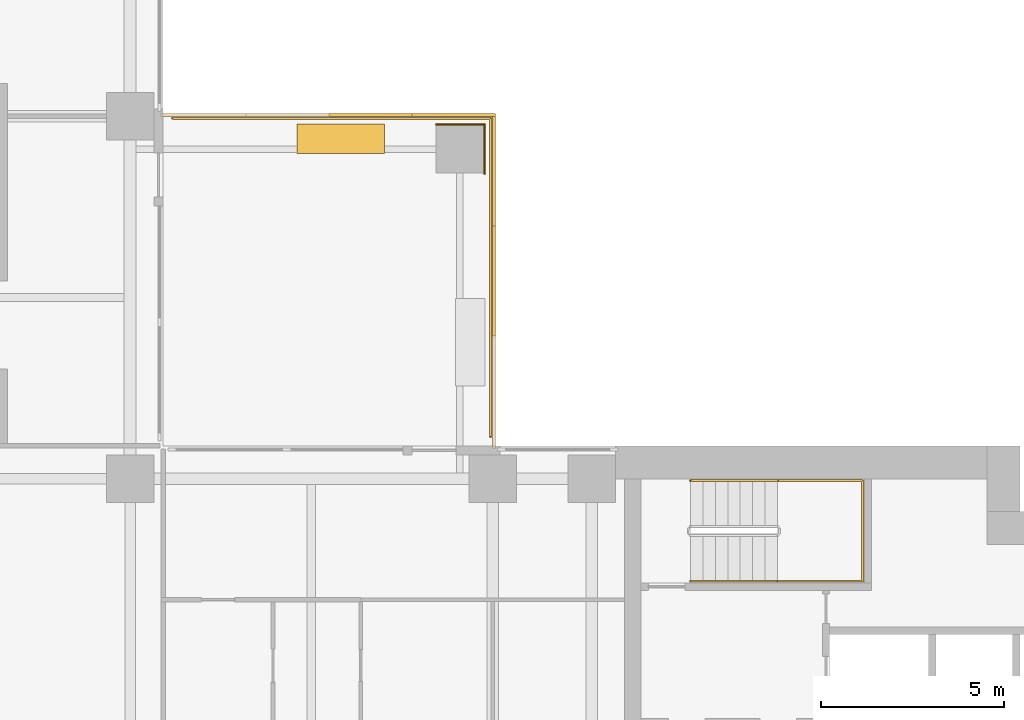
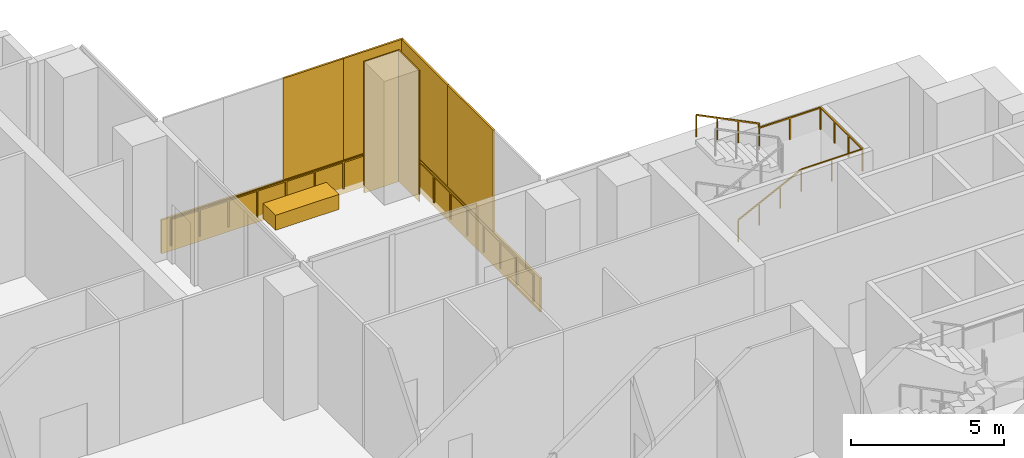
# One storey, part 16 of 17: 8 coverings, 2 railings.
"""IFC4 building model written with IfcOpenShell, lengths in metres."""

from ifc_helpers import new_model, si_unit, direction, frame, origin, origin_2d, place, context, subcontext, project, spatial, polyline, rectangle, outline, extrude, material, layer, layer_set, type_object, element, save


model = new_model("IFC4")

# Units and contexts
model_context = context("Model", 3, precision=1e-05, world=origin(), true_north=direction((0.0, 1.0)))
body_context = subcontext(model_context, "Body", "Model", "MODEL_VIEW")
ifc_project = project(units=[si_unit("LENGTHUNIT", "METRE"), si_unit("AREAUNIT", "SQUARE_METRE"), si_unit("VOLUMEUNIT", "CUBIC_METRE"), si_unit("PLANEANGLEUNIT", "RADIAN"), si_unit("MASSUNIT", "GRAM", prefix="KILO")], contexts=[model_context])

# Site, building, storey
site_placement = place(None, origin())
site = spatial("IfcSite", under=ifc_project, at=site_placement, CompositionType="ELEMENT")
building_placement = place(site_placement, origin())
building = spatial("IfcBuilding", under=site, at=building_placement, Name="Perihelion Cross Residences", CompositionType="ELEMENT")
storey_placement = place(building_placement, frame((0.0, 0.0, 92.5)))
storey = spatial("IfcBuildingStorey", under=building, at=storey_placement, Name="L21", CompositionType="ELEMENT", Elevation=92.5)

# Railing
ifc_material_1 = material(Name="Bronze anodised aluminium", Category="aluminium")
railing_type_1 = type_object("IfcRailingType", Name="Balcony guard 1100", PredefinedType="GUARDRAIL", material=ifc_material_1)
railing_1_placement = place(storey_placement, frame((9.25, 17.93994140625, 0.0)))
element("IfcRailing", 1, at=railing_1_placement, inside=storey, type_object=railing_type_1, Name="Guard GU1 L21 pocket north-east 1", PredefinedType="GUARDRAIL", context=body_context, shape_type="SweptSolid", body=[
    extrude(rectangle(XDim=0.048095703125, YDim=0.048095703125, at=origin_2d()), frame((0.0, 0.0, 1.076171875), z_axis=(1.0, 0.0, 0.0), x_axis=(0.0, 1.0, 0.0)), (0.0, 0.0, 1.0), 8.68994140625),
    extrude(rectangle(XDim=0.048095703125, YDim=0.048095703125, at=origin_2d()), frame((8.68994140625, 0.0, 1.076171875), z_axis=(0.0, -1.0, 0.0), x_axis=(1.0, 0.0, 0.0)), (0.0, 0.0, 1.0), 8.68994140625),
    extrude(rectangle(XDim=0.0419921875, YDim=0.0419921875, at=origin_2d()), origin(), (0.0, 0.0, 1.0), 1.052001953125),
    extrude(rectangle(XDim=0.0419921875, YDim=0.0419921875, at=origin_2d()), frame((1.086181640625, 0.0, 0.0)), (0.0, 0.0, 1.0), 1.052001953125),
    extrude(rectangle(XDim=0.0419921875, YDim=0.0419921875, at=origin_2d()), frame((2.17236328125, 0.0, 0.0)), (0.0, 0.0, 1.0), 1.052001953125),
    extrude(rectangle(XDim=0.0419921875, YDim=0.0419921875, at=origin_2d()), frame((3.2587890625, 0.0, 0.0)), (0.0, 0.0, 1.0), 1.052001953125),
    extrude(rectangle(XDim=0.0419921875, YDim=0.0419921875, at=origin_2d()), frame((4.344970703125, 0.0, 0.0)), (0.0, 0.0, 1.0), 1.052001953125),
    extrude(rectangle(XDim=0.0419921875, YDim=0.0419921875, at=origin_2d()), frame((5.43115234375, 0.0, 0.0)), (0.0, 0.0, 1.0), 1.052001953125),
    extrude(rectangle(XDim=0.0419921875, YDim=0.0419921875, at=origin_2d()), frame((6.517578125, 0.0, 0.0)), (0.0, 0.0, 1.0), 1.052001953125),
    extrude(rectangle(XDim=0.0419921875, YDim=0.0419921875, at=origin_2d()), frame((7.603759765625, 0.0, 0.0)), (0.0, 0.0, 1.0), 1.052001953125),
    extrude(rectangle(XDim=0.0419921875, YDim=0.0419921875, at=origin_2d()), frame((8.68994140625, 0.0, 0.0)), (0.0, 0.0, 1.0), 1.052001953125),
    extrude(rectangle(XDim=0.0419921875, YDim=0.0419921875, at=origin_2d()), frame((8.68994140625, -1.086181640625, 0.0)), (0.0, 0.0, 1.0), 1.052001953125),
    extrude(rectangle(XDim=0.0419921875, YDim=0.0419921875, at=origin_2d()), frame((8.68994140625, -2.17236328125, 0.0)), (0.0, 0.0, 1.0), 1.052001953125),
    extrude(rectangle(XDim=0.0419921875, YDim=0.0419921875, at=origin_2d()), frame((8.68994140625, -3.2587890625, 0.0)), (0.0, 0.0, 1.0), 1.052001953125),
    extrude(rectangle(XDim=0.0419921875, YDim=0.0419921875, at=origin_2d()), frame((8.68994140625, -4.344970703125, 0.0)), (0.0, 0.0, 1.0), 1.052001953125),
    extrude(rectangle(XDim=0.0419921875, YDim=0.0419921875, at=origin_2d()), frame((8.68994140625, -5.43115234375, 0.0)), (0.0, 0.0, 1.0), 1.052001953125),
    extrude(rectangle(XDim=0.0419921875, YDim=0.0419921875, at=origin_2d()), frame((8.68994140625, -6.517578125, 0.0)), (0.0, 0.0, 1.0), 1.052001953125),
    extrude(rectangle(XDim=0.0419921875, YDim=0.0419921875, at=origin_2d()), frame((8.68994140625, -7.603759765625, 0.0)), (0.0, 0.0, 1.0), 1.052001953125),
    extrude(rectangle(XDim=0.0419921875, YDim=0.0419921875, at=origin_2d()), frame((8.68994140625, -8.68994140625, 0.0)), (0.0, 0.0, 1.0), 1.052001953125),
])

# Coverings
ifc_material_2 = material(Name="Bronze anodised aluminium", Category="aluminium")
ifc_layer_1 = layer(ifc_material_2, 0.0400390625)
ifc_layer_set_1 = layer_set([ifc_layer_1], Name="Bronze column casing 40")
covering_type_1 = type_object("IfcCoveringType", Name="Bronze column casing 40", PredefinedType="CLADDING", material=ifc_layer_set_1)
covering_1_placement = place(storey_placement, frame((17.77001953125, 17.10009765625, -0.300048828125), z_axis=(0.0, 0.0, 1.0), x_axis=(1.0, 0.0, 0.0)))
element("IfcCovering", 2, at=covering_1_placement, inside=storey, type_object=covering_type_1, Name="Cladding CC1 L21 casing east-west no. 4", PredefinedType="CLADDING", context=body_context, shape_type="SweptSolid", body=[
    extrude(rectangle(XDim=0.0400390625, YDim=1.3798828125, at=origin_2d()), origin(), (0.0, 0.0, 1.0), 5.25),
])
covering_2_placement = place(storey_placement, frame((17.10009765625, 17.77001953125, -0.300048828125), z_axis=(0.0, 0.0, 1.0), x_axis=(1.0, 0.0, 0.0)))
element("IfcCovering", 3, at=covering_2_placement, inside=storey, type_object=covering_type_1, Name="Cladding CC1 L21 casing north-south no. 4", PredefinedType="CLADDING", context=body_context, shape_type="SweptSolid", body=[
    extrude(rectangle(XDim=1.300048828125, YDim=0.0400390625, at=origin_2d()), origin(), (0.0, 0.0, 1.0), 5.25),
])
ifc_material_3 = material(Name="Precast concrete C40/50", Category="concrete")
covering_type_2 = type_object("IfcCoveringType", Name="Planter box 2400", PredefinedType="USERDEFINED", material=ifc_material_3)
covering_3_placement = place(storey_placement, frame((13.85009765625, 17.389892578125, 0.0), z_axis=(0.0, 0.0, 1.0), x_axis=(1.0, 0.0, 0.0)))
element("IfcCovering", 4, at=covering_3_placement, inside=storey, type_object=covering_type_2, Name="Planter PT1 L21 pocket north-east 1", ObjectType="PLANTER", PredefinedType="USERDEFINED", context=body_context, shape_type="SweptSolid", body=[
    extrude(rectangle(XDim=2.39990234375, YDim=0.800048828125, at=origin_2d()), origin(), (0.0, 0.0, 1.0), 0.60009765625),
])
ifc_material_4 = material(Name="Bronze anodised aluminium", Category="aluminium")
ifc_layer_2 = layer(ifc_material_4, 0.070068359375)
ifc_layer_set_2 = layer_set([ifc_layer_2], Name="Pocket fascia 1350")
covering_type_3 = type_object("IfcCoveringType", Name="Pocket fascia 1350", PredefinedType="CLADDING", material=ifc_layer_set_2)
covering_4_placement = place(storey_placement, frame((0.0, 0.0, -0.25)))
element("IfcCovering", 5, at=covering_4_placement, inside=storey, type_object=covering_type_3, Name="Fascia BF2 L21 pocket north-east 1", PredefinedType="CLADDING", context=body_context, shape_type="SweptSolid", body=[
    extrude(outline(polyline([(8.929931640625, 18.0), (9.0, 18.0), (9.0, 18.0), (18.0, 18.0), (18.0, 9.0), (18.0, 9.0), (18.0, 8.929931640625), (18.070068359375, 8.929931640625), (18.070068359375, 18.070068359375), (8.929931640625, 18.070068359375), (8.929931640625, 18.0)])), origin(), (0.0, 0.0, 1.0), 1.35009765625),
])
ifc_material_5 = material(Name="Bronze perforated aluminium", Category="aluminium")
ifc_layer_3 = layer(ifc_material_5, 0.070068359375)
ifc_layer_set_3 = layer_set([ifc_layer_3], Name="Pocket solar screen, bronze perforated")
covering_type_4 = type_object("IfcCoveringType", Name="Pocket solar screen, bronze perforated", PredefinedType="CLADDING", material=ifc_layer_set_3)
covering_5_placement = place(storey_placement, frame((0.0, 0.0, 1.10009765625)))
element("IfcCovering", 6, at=covering_5_placement, inside=storey, type_object=covering_type_4, Name="Solar screen PS1 L21 pocket north-east no. 2", PredefinedType="CLADDING", context=body_context, shape_type="SweptSolid", body=[
    extrude(outline(polyline([(18.070068359375, 12.0), (18.070068359375, 15.0), (18.0, 15.0), (18.0, 12.0), (18.070068359375, 12.0)])), origin(), (0.0, 0.0, 1.0), 4.0498046875),
])
covering_6_placement = place(storey_placement, frame((0.0, 0.0, 1.10009765625)))
element("IfcCovering", 7, at=covering_6_placement, inside=storey, type_object=covering_type_4, Name="Solar screen PS1 L21 pocket north-east no. 3", PredefinedType="CLADDING", context=body_context, shape_type="SweptSolid", body=[
    extrude(outline(polyline([(18.070068359375, 15.0), (18.070068359375, 18.0), (18.0, 18.0), (18.0, 15.0), (18.070068359375, 15.0)])), origin(), (0.0, 0.0, 1.0), 4.0498046875),
])
covering_7_placement = place(storey_placement, frame((0.0, 0.0, 1.10009765625)))
element("IfcCovering", 8, at=covering_7_placement, inside=storey, type_object=covering_type_4, Name="Solar screen PS1 L21 pocket north-east no. 6", PredefinedType="CLADDING", context=body_context, shape_type="SweptSolid", body=[
    extrude(outline(polyline([(15.802490234375, 18.0), (15.802490234375, 18.070068359375), (13.534912109375, 18.070068359375), (13.534912109375, 18.0), (15.802490234375, 18.0)])), origin(), (0.0, 0.0, 1.0), 4.0498046875),
])
covering_8_placement = place(storey_placement, frame((0.0, 0.0, 1.10009765625)))
element("IfcCovering", 9, at=covering_8_placement, inside=storey, type_object=covering_type_4, Name="Solar screen PS1 L21 pocket north-east no. 7", PredefinedType="CLADDING", context=body_context, shape_type="SweptSolid", body=[
    extrude(outline(polyline([(18.070068359375, 18.0), (18.070068359375, 18.070068359375), (15.802490234375, 18.070068359375), (15.802490234375, 18.0), (18.070068359375, 18.0)])), origin(), (0.0, 0.0, 1.0), 4.0498046875),
])

# Railing
ifc_material_6 = material(Name="Stainless steel", Category="steel")
railing_type_2 = type_object("IfcRailingType", Name="Stair handrail 900", PredefinedType="HANDRAIL", material=ifc_material_6)
railing_2_placement = place(storey_placement, frame((23.39990234375, 5.300048828125, 2.86865234375)))
element("IfcRailing", 10, at=railing_2_placement, inside=storey, type_object=railing_type_2, Name="L21 ST-E1 stair handrail 2", PredefinedType="HANDRAIL", context=body_context, shape_type="SweptSolid", body=[
    extrude(rectangle(XDim=0.048095703125, YDim=0.048095703125, at=origin_2d()), frame((0.0, 0.0, 0.8759765625), z_axis=(0.895728066128, 0.0, 0.444602329674), x_axis=(0.0, 1.0, 0.0)), (0.0, 0.0, 1.0), 2.6572265625),
    extrude(rectangle(XDim=0.048095703125, YDim=0.048095703125, at=origin_2d()), frame((2.380126953125, 0.0, 2.05712890625), z_axis=(1.0, 0.0, 0.0), x_axis=(0.0, 1.0, 0.0)), (0.0, 0.0, 1.0), 2.320068359375),
    extrude(rectangle(XDim=0.048095703125, YDim=0.048095703125, at=origin_2d()), frame((4.7001953125, 0.0, 2.05712890625), z_axis=(0.0, 1.0, 0.0), x_axis=(-1.0, 0.0, 0.0)), (0.0, 0.0, 1.0), 2.75),
    extrude(rectangle(XDim=0.048095703125, YDim=0.048095703125, at=origin_2d()), frame((4.7001953125, 2.75, 2.05712890625), z_axis=(-1.0, 0.0, 0.0), x_axis=(0.0, -1.0, 0.0)), (0.0, 0.0, 1.0), 2.320068359375),
    extrude(rectangle(XDim=0.048095703125, YDim=0.048095703125, at=origin_2d()), frame((2.380126953125, 2.75, 2.05712890625), z_axis=(0.0, 0.0, 1.0), x_axis=(1.0, 0.0, 0.0)), (0.0, 0.0, 1.0), 0.168701171875),
    extrude(rectangle(XDim=0.048095703125, YDim=0.048095703125, at=origin_2d()), frame((2.380126953125, 2.75, 2.22607421875), z_axis=(-0.895764654725, 0.0, 0.444528608017), x_axis=(0.0, -1.0, 0.0)), (0.0, 0.0, 1.0), 2.656982421875),
    extrude(rectangle(XDim=0.0419921875, YDim=0.0419921875, at=origin_2d()), origin(), (0.0, 0.0, 1.0), 0.851806640625),
    extrude(rectangle(XDim=0.0419921875, YDim=0.0419921875, at=origin_2d()), frame((0.79345703125, 0.0, 0.393798828125)), (0.0, 0.0, 1.0), 0.851806640625),
    extrude(rectangle(XDim=0.0419921875, YDim=0.0419921875, at=origin_2d()), frame((1.586669921875, 0.0, 0.78759765625)), (0.0, 0.0, 1.0), 0.851806640625),
    extrude(rectangle(XDim=0.0419921875, YDim=0.0419921875, at=origin_2d()), frame((2.380126953125, 0.0, 1.181396484375)), (0.0, 0.0, 1.0), 0.851806640625),
    extrude(rectangle(XDim=0.0419921875, YDim=0.0419921875, at=origin_2d()), frame((3.5400390625, 0.0, 1.181396484375)), (0.0, 0.0, 1.0), 0.851806640625),
    extrude(rectangle(XDim=0.0419921875, YDim=0.0419921875, at=origin_2d()), frame((4.7001953125, 0.0, 1.181396484375)), (0.0, 0.0, 1.0), 0.851806640625),
    extrude(rectangle(XDim=0.0419921875, YDim=0.0419921875, at=origin_2d()), frame((4.7001953125, 0.916748046875, 1.181396484375)), (0.0, 0.0, 1.0), 0.851806640625),
    extrude(rectangle(XDim=0.0419921875, YDim=0.0419921875, at=origin_2d()), frame((4.7001953125, 1.833251953125, 1.181396484375)), (0.0, 0.0, 1.0), 0.851806640625),
    extrude(rectangle(XDim=0.0419921875, YDim=0.0419921875, at=origin_2d()), frame((4.7001953125, 2.75, 1.181396484375)), (0.0, 0.0, 1.0), 0.851806640625),
    extrude(rectangle(XDim=0.0419921875, YDim=0.0419921875, at=origin_2d()), frame((3.5400390625, 2.75, 1.181396484375)), (0.0, 0.0, 1.0), 0.851806640625),
    extrude(rectangle(XDim=0.0419921875, YDim=0.0419921875, at=origin_2d()), frame((2.380126953125, 2.75, 1.181396484375)), (0.0, 0.0, 1.0), 0.851806640625),
    extrude(rectangle(XDim=0.0419921875, YDim=0.0419921875, at=origin_2d()), frame((2.380126953125, 2.75, 1.35009765625)), (0.0, 0.0, 1.0), 0.851806640625),
    extrude(rectangle(XDim=0.0419921875, YDim=0.0419921875, at=origin_2d()), frame((1.586669921875, 2.75, 1.743896484375)), (0.0, 0.0, 1.0), 0.851806640625),
    extrude(rectangle(XDim=0.0419921875, YDim=0.0419921875, at=origin_2d()), frame((0.79345703125, 2.75, 2.137451171875)), (0.0, 0.0, 1.0), 0.851806640625),
    extrude(rectangle(XDim=0.0419921875, YDim=0.0419921875, at=origin_2d()), frame((0.0, 2.75, 2.53125)), (0.0, 0.0, 1.0), 0.851806640625),
])

save(model, "model.ifc")
